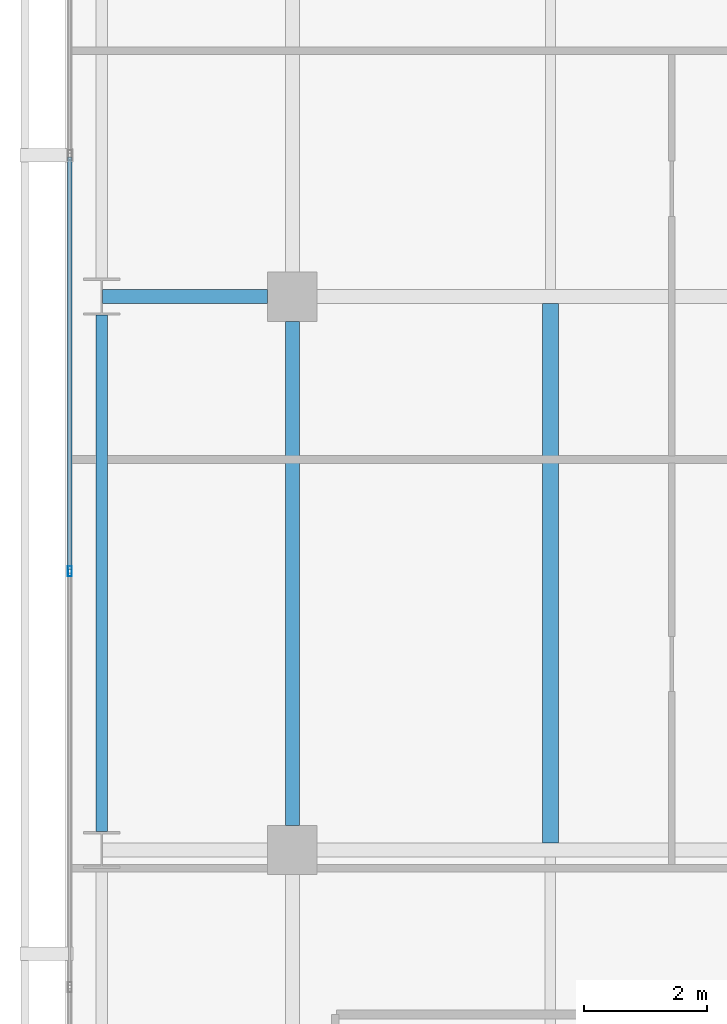
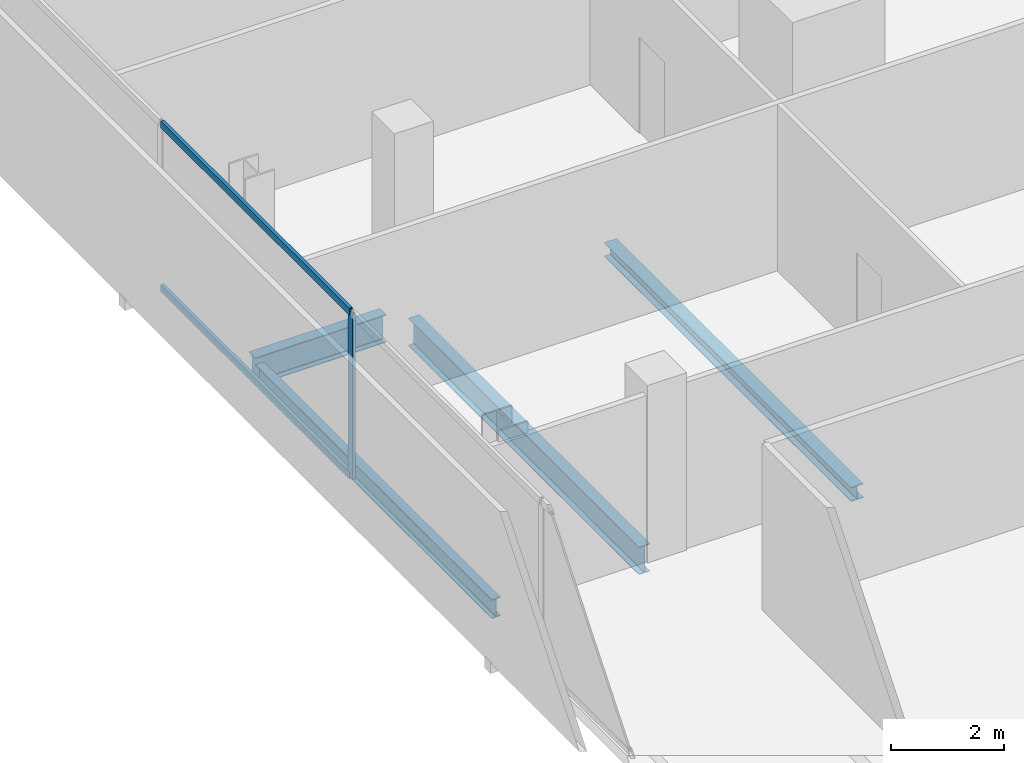
# One storey, part 8 of 33: 4 beams, 3 members, 1 element without a shape of its own.
"""IFC4 building model written with IfcOpenShell, lengths in metres."""

from ifc_helpers import new_model, si_unit, direction, frame, origin, origin_2d, place, context, subcontext, project, spatial, hollow_rectangle, i_section, extrude, material, layer, layer_set, material_profile, profile_set, type_object, element, aggregate, save


model = new_model("IFC4")

# Units and contexts
model_context = context("Model", 3, precision=1e-05, world=origin(), true_north=direction((0.0, 1.0)))
body_context = subcontext(model_context, "Body", "Model", "MODEL_VIEW")
ifc_project = project(units=[si_unit("LENGTHUNIT", "METRE"), si_unit("AREAUNIT", "SQUARE_METRE"), si_unit("VOLUMEUNIT", "CUBIC_METRE"), si_unit("PLANEANGLEUNIT", "RADIAN"), si_unit("MASSUNIT", "GRAM", prefix="KILO")], contexts=[model_context])

# Site, building, storey
site_placement = place(None, origin())
site = spatial("IfcSite", under=ifc_project, at=site_placement, CompositionType="ELEMENT")
building_placement = place(site_placement, origin())
building = spatial("IfcBuilding", under=site, at=building_placement, Name="Maruvema Waterfront Hotel and Observation Tower", CompositionType="ELEMENT")
storey_placement = place(building_placement, frame((0.0, 0.0, 169.75)))
storey = spatial("IfcBuildingStorey", under=building, at=storey_placement, Name="L41", CompositionType="ELEMENT", Elevation=169.75)

# Curtain wall, members
ifc_material_1 = material(Name="Anodised bronze aluminium and solar-control low-E IGU", Category="aluminium")
ifc_layer = layer(ifc_material_1, 0.159912109375, Name="Zone 2 Amber Inner Thermal Curtain Wall System CW-03")
ifc_layer_set = layer_set([ifc_layer], Name="Anodised bronze aluminium and solar-control low-E IGU")
curtain_wall_type = type_object("IfcCurtainWallType", Name="Zone 2 Amber Inner Thermal Curtain Wall System CW-03", PredefinedType="USERDEFINED", material=ifc_layer_set)
curtain_wall_placement = place(storey_placement, origin())
curtain_wall = element("IfcCurtainWall", 1, at=curtain_wall_placement, inside=storey, type_object=curtain_wall_type, Name="L41 Curtain Wall CW-L41-W", ObjectType="UNITISED CURTAIN WALL", PredefinedType="USERDEFINED")
ifc_material_2 = material(Name="Anodised architectural bronze aluminium", Category="aluminium")
ifc_material_profile_1 = material_profile(ifc_material_2, hollow_rectangle(XDim=0.070068359375, YDim=0.14990234375, WallThickness=0.00390625, at=origin_2d()), Name="ALU-T70x150")
ifc_profile_set_1 = profile_set([ifc_material_profile_1], Name="Anodised architectural bronze aluminium")
member_type_1 = type_object("IfcMemberType", Name="Curtain Wall Horizontal Transom ALU-T70x150", PredefinedType="USERDEFINED", material=ifc_profile_set_1)
member_1_placement = place(storey_placement, frame((13.179931640625, 29.27001953125, 0.030029296875), z_axis=(0.0, -1.0, 0.0), x_axis=(1.0, 0.0, 0.0)))
member_1 = element("IfcMember", 2, at=member_1_placement, type_object=member_type_1, Name="CW-03 transom 4.1", ObjectType="TRANSOM", PredefinedType="USERDEFINED", context=body_context, shape_type="SweptSolid", body=[
    extrude(hollow_rectangle(XDim=0.070068359375, YDim=0.14990234375, WallThickness=0.00390625, at=origin_2d()), origin(), (0.0, 0.0, 1.0), 6.706787109375),
])
member_2_placement = place(storey_placement, frame((13.179931640625, 29.27001953125, 3.580078125), z_axis=(0.0, -1.0, 0.0), x_axis=(1.0, 0.0, 0.0)))
member_2 = element("IfcMember", 3, at=member_2_placement, type_object=member_type_1, Name="CW-03 transom 4.2", ObjectType="TRANSOM", PredefinedType="USERDEFINED", context=body_context, shape_type="SweptSolid", body=[
    extrude(hollow_rectangle(XDim=0.070068359375, YDim=0.14990234375, WallThickness=0.00390625, at=origin_2d()), origin(), (0.0, 0.0, 1.0), 6.706787109375),
])
ifc_material_3 = material(Name="Anodised architectural bronze aluminium", Category="aluminium")
ifc_material_profile_2 = material_profile(ifc_material_3, hollow_rectangle(XDim=0.06494140625, YDim=0.1650390625, WallThickness=0.00390625, at=origin_2d()), Name="ALU-M65x165")
ifc_profile_set_2 = profile_set([ifc_material_profile_2], Name="Anodised architectural bronze aluminium")
member_type_2 = type_object("IfcMemberType", Name="Curtain Wall Primary Mullion ALU-M65x165", PredefinedType="MULLION", material=ifc_profile_set_2)
member_3_placement = place(storey_placement, frame((13.179931640625, 22.533447265625, 0.0), z_axis=(0.0, 0.0, 1.0), x_axis=(1.0, 0.0, 0.0)))
member_3 = element("IfcMember", 4, at=member_3_placement, type_object=member_type_2, Name="CW-03 mullion 5", PredefinedType="MULLION", context=body_context, shape_type="SweptSolid", body=[
    extrude(hollow_rectangle(XDim=0.06494140625, YDim=0.1650390625, WallThickness=0.00390625, at=origin_2d()), origin(), (0.0, 0.0, 1.0), 3.610107421875),
])
aggregate(curtain_wall, [member_3, member_1, member_2])

# Beams
ifc_material_4 = material(Name="Steel ASTM A572 Grade 50", Category="steel")
ifc_material_profile_3 = material_profile(ifc_material_4, i_section(OverallWidth=0.180908203125, OverallDepth=0.4169921875, WebThickness=0.010986328125, FlangeThickness=0.018310546875, FilletRadius=0.014892578125, at=origin_2d()), Name="W410x85.0")
ifc_profile_set_3 = profile_set([ifc_material_profile_3], Name="Steel ASTM A572 Grade 50")
beam_type_1 = type_object("IfcBeamType", Name="Perimeter Spandrel Beam W410x85.0", PredefinedType="SPANDREL", material=ifc_profile_set_3)
beam_1_placement = place(storey_placement, frame((13.699951171875, 18.300048828125, -0.448486328125), z_axis=(0.0, 1.0, 0.0), x_axis=(-1.0, 0.0, 0.0)))
element("IfcBeam", 5, at=beam_1_placement, inside=storey, type_object=beam_type_1, Name="L41 Floor Girder NS-02", PredefinedType="SPANDREL", context=body_context, shape_type="SweptSolid", body=[
    extrude(i_section(OverallWidth=0.180908203125, OverallDepth=0.4169921875, WebThickness=0.010986328125, FlangeThickness=0.018310546875, FilletRadius=0.014892578125, at=origin_2d()), origin(), (0.0, 0.0, 1.0), 8.39990234375),
])
ifc_material_5 = material(Name="Steel ASTM A572 Grade 50", Category="steel")
ifc_material_profile_4 = material_profile(ifc_material_5, i_section(OverallWidth=0.22802734375, OverallDepth=0.60302734375, WebThickness=0.010498046875, FlangeThickness=0.014892578125, FilletRadius=0.01806640625, at=origin_2d()), Name="W610x101.0")
ifc_profile_set_4 = profile_set([ifc_material_profile_4], Name="Steel ASTM A572 Grade 50")
beam_type_2 = type_object("IfcBeamType", Name="Primary Floor Girder W610x101.0", PredefinedType="BEAM", material=ifc_profile_set_4)
beam_2_placement = place(storey_placement, frame((13.71240234375, 27.0, -0.54150390625), z_axis=(1.0, 0.0, 0.0), x_axis=(0.0, 1.0, 0.0)))
element("IfcBeam", 6, at=beam_2_placement, inside=storey, type_object=beam_type_2, Name="L41 Floor Girder EW-18", PredefinedType="BEAM", context=body_context, shape_type="SweptSolid", body=[
    extrude(i_section(OverallWidth=0.22802734375, OverallDepth=0.60302734375, WebThickness=0.010498046875, FlangeThickness=0.014892578125, FilletRadius=0.01806640625, at=origin_2d()), origin(), (0.0, 0.0, 1.0), 2.6875),
])
beam_3_placement = place(storey_placement, frame((16.800048828125, 18.39990234375, -0.54150390625), z_axis=(0.0, 1.0, 0.0), x_axis=(-1.0, 0.0, 0.0)))
element("IfcBeam", 7, at=beam_3_placement, inside=storey, type_object=beam_type_2, Name="L41 Floor Girder NS-06", PredefinedType="BEAM", context=body_context, shape_type="SweptSolid", body=[
    extrude(i_section(OverallWidth=0.22802734375, OverallDepth=0.60302734375, WebThickness=0.010498046875, FlangeThickness=0.014892578125, FilletRadius=0.01806640625, at=origin_2d()), origin(), (0.0, 0.0, 1.0), 8.2001953125),
])
ifc_material_6 = material(Name="Steel ASTM A572 Grade 50", Category="steel")
ifc_material_profile_5 = material_profile(ifc_material_6, i_section(OverallWidth=0.25390625, OverallDepth=0.305908203125, WebThickness=0.0087890625, FlangeThickness=0.0146484375, FilletRadius=0.014892578125, at=origin_2d()), Name="W310x79.0")
ifc_profile_set_5 = profile_set([ifc_material_profile_5], Name="Steel ASTM A572 Grade 50")
beam_type_3 = type_object("IfcBeamType", Name="Secondary Floor Joist W310x79.0", PredefinedType="JOIST", material=ifc_profile_set_5)
beam_4_placement = place(storey_placement, frame((21.0, 18.114013671875, -0.39306640625), z_axis=(0.0, 1.0, 0.0), x_axis=(-1.0, 0.0, 0.0)))
element("IfcBeam", 8, at=beam_4_placement, inside=storey, type_object=beam_type_3, Name="L41 Secondary Floor Joist JS-02", PredefinedType="JOIST", context=body_context, shape_type="SweptSolid", body=[
    extrude(i_section(OverallWidth=0.25390625, OverallDepth=0.305908203125, WebThickness=0.0087890625, FlangeThickness=0.0146484375, FilletRadius=0.014892578125, at=origin_2d()), origin(), (0.0, 0.0, 1.0), 8.77197265625),
])

save(model, "model.ifc")
